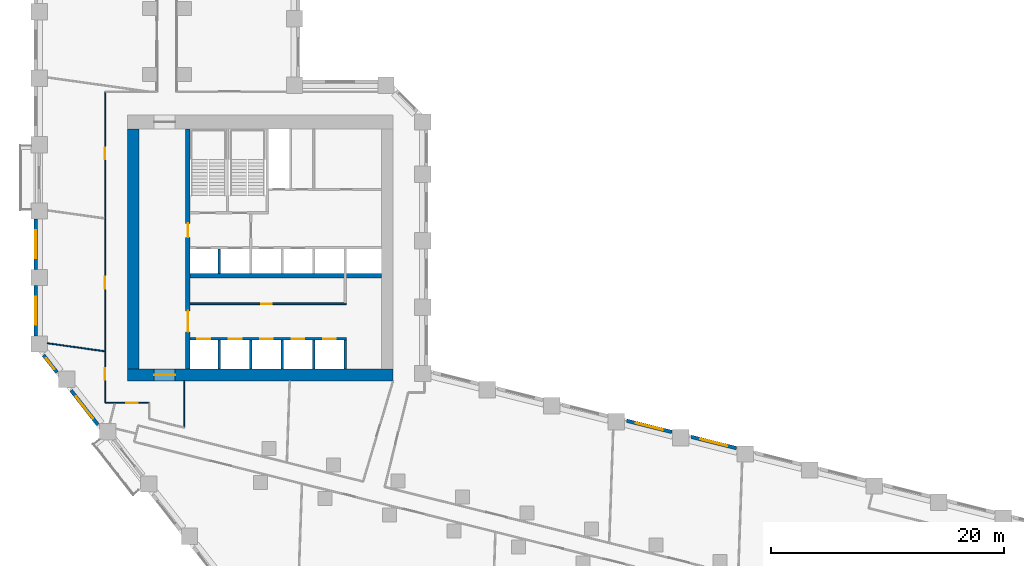
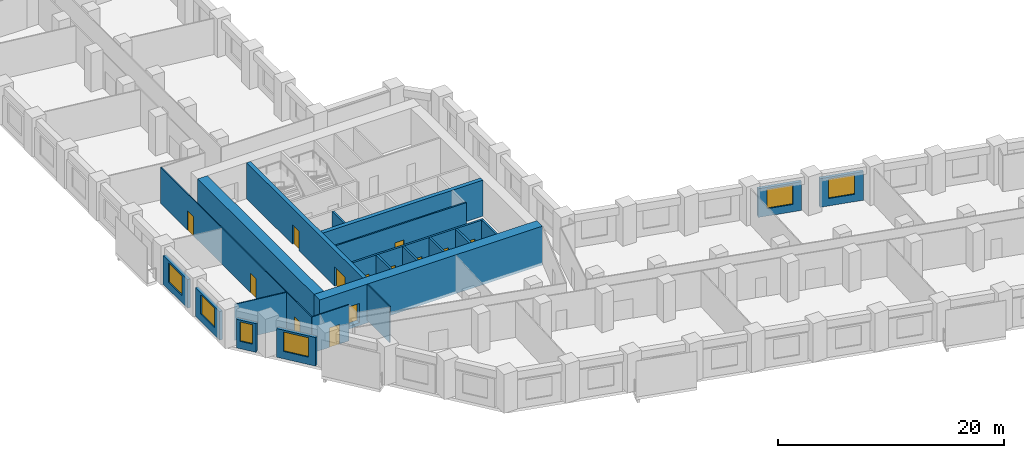
# One storey, part 4 of 11: 22 walls, 13 doors, 6 windows, 19 openings.
"""IFC4 building model written with IfcOpenShell, lengths in metres."""

from ifc_helpers import new_model, si_unit, direction, frame, frame_2d, origin, place, context, subcontext, project, spatial, rectangle, extrude, material, layer, layer_set, type_object, element, fill, save


model = new_model("IFC4")

# Units and contexts
model_context = context("Model", 3, precision=1e-05, world=origin(), true_north=direction((0.0, 1.0)))
body_context = subcontext(model_context, "Body", "Model", "MODEL_VIEW")
ifc_project = project(units=[si_unit("LENGTHUNIT", "METRE"), si_unit("AREAUNIT", "SQUARE_METRE"), si_unit("VOLUMEUNIT", "CUBIC_METRE"), si_unit("PLANEANGLEUNIT", "RADIAN"), si_unit("MASSUNIT", "GRAM", prefix="KILO")], contexts=[model_context])

# Site, building, storey
site_placement = place(None, origin())
site = spatial("IfcSite", under=ifc_project, at=site_placement, CompositionType="ELEMENT")
building_placement = place(site_placement, origin())
building = spatial("IfcBuilding", under=site, at=building_placement, Name="Meshkara Civic Tower", CompositionType="ELEMENT")
storey_placement = place(building_placement, frame((0.0, 0.0, 70.800048828125)))
storey = spatial("IfcBuildingStorey", under=building, at=storey_placement, Name="L15", CompositionType="ELEMENT", Elevation=70.800048828125)

# Wall, opening, door
ifc_material_1 = material(Name="Blockwork", Category="masonry")
ifc_layer_1 = layer(ifc_material_1, 0.14990234375)
ifc_layer_set_1 = layer_set([ifc_layer_1], Name="Core partition 150")
wall_type_1 = type_object("IfcWallType", Name="Core partition 150", PredefinedType="PARTITIONING", material=ifc_layer_set_1)
wall_1_placement = place(storey_placement, frame((13.39990234375, 20.699951171875, 0.0), z_axis=(0.0, 0.0, 1.0), x_axis=(1.0, 0.0, 0.0)))
wall_1 = element("IfcWall", 1, at=wall_1_placement, inside=storey, type_object=wall_type_1, Name="L15-C006", PredefinedType="PARTITIONING", context=body_context, shape_type="SweptSolid", body=[
    extrude(rectangle(XDim=13.400146484375, YDim=0.14990234375, at=frame_2d((6.7001953125, 0.0))), origin(), (0.0, 0.0, 1.0), 3.89990234375),
])
opening_1_placement = place(wall_1_placement, frame((6.10009765625, 0.0, 0.0)))
opening_1 = element("IfcOpeningElement", 2, at=opening_1_placement, cuts=wall_1, Name="Opening L15-K010", PredefinedType="OPENING", context=body_context, shape_type="SweptSolid", body=[
    extrude(rectangle(XDim=0.89990234375, YDim=2.10009765625, at=frame_2d((0.449951171875, 1.050048828125))), frame((0.0, 0.0849609375, 0.0), z_axis=(0.0, -1.0, 0.0), x_axis=(1.0, 0.0, 0.0)), (0.0, 0.0, 1.0), 0.169921875),
])
ifc_material_2 = material(Name="Timber door leaf in steel frame", Category="steel")
door_type_1 = type_object("IfcDoorType", Name="Core room door 900", OperationType="SINGLE_SWING_LEFT", PredefinedType="DOOR", material=ifc_material_2)
door_1_placement = place(opening_1_placement, origin())
door_1 = element("IfcDoor", 3, at=door_1_placement, inside=storey, type_object=door_type_1, Name="L15-K010", OperationType="SINGLE_SWING_RIGHT", OverallHeight=2.10009765625, OverallWidth=0.89990234375, PredefinedType="DOOR", context=body_context, shape_type="SweptSolid", body=[
    extrude(rectangle(XDim=0.89990234375, YDim=2.10009765625, at=frame_2d((0.449951171875, 1.050048828125))), frame((0.0, 0.02490234375, 0.0), z_axis=(0.0, -1.0, 0.0), x_axis=(1.0, 0.0, 0.0)), (0.0, 0.0, 1.0), 0.050048828125),
])
fill(opening_1, door_1)

ifc_material_3 = material(Name="Concrete C80", Category="concrete")
ifc_layer_2 = layer(ifc_material_3, 1.0)
ifc_layer_set_2 = layer_set([ifc_layer_2], Name="Core ring wall 1000 C80")
wall_type_2 = type_object("IfcWallType", Name="Core ring wall 1000 C80", PredefinedType="SHEAR", material=ifc_layer_set_2)
wall_2_placement = place(storey_placement, frame((8.0, 14.60009765625, -0.300048828125), z_axis=(0.0, 0.0, 1.0), x_axis=(1.0, 0.0, 0.0)))
wall_2 = element("IfcWall", 4, at=wall_2_placement, inside=storey, type_object=wall_type_2, Name="L15-C001", PredefinedType="SHEAR", context=body_context, shape_type="SweptSolid", body=[
    extrude(rectangle(XDim=22.800048828125, YDim=1.0, at=frame_2d((11.39990234375, 0.0))), origin(), (0.0, 0.0, 1.0), 4.199951171875),
])
opening_2_placement = place(wall_2_placement, frame((2.300048828125, 0.0, 0.300048828125)))
opening_2 = element("IfcOpeningElement", 5, at=opening_2_placement, cuts=wall_2, Name="Opening L15-K020", PredefinedType="OPENING", context=body_context, shape_type="SweptSolid", body=[
    extrude(rectangle(XDim=1.800048828125, YDim=2.10009765625, at=frame_2d((0.89990234375, 1.050048828125))), frame((0.0, 0.510009765625, 0.0), z_axis=(0.0, -1.0, 0.0), x_axis=(1.0, 0.0, 0.0)), (0.0, 0.0, 1.0), 1.02001953125),
])
ifc_material_4 = material(Name="Fire-rated door leaf in steel frame", Category="steel")
door_type_2 = type_object("IfcDoorType", Name="Core double door 1800 EI 60", OperationType="DOUBLE_DOOR_SINGLE_SWING", PredefinedType="DOOR", material=ifc_material_4)
door_2_placement = place(opening_2_placement, origin())
door_2 = element("IfcDoor", 6, at=door_2_placement, inside=storey, type_object=door_type_2, Name="L15-K020", OperationType="DOUBLE_DOOR_SINGLE_SWING", OverallHeight=2.10009765625, OverallWidth=1.800048828125, PredefinedType="DOOR", context=body_context, shape_type="SweptSolid", body=[
    extrude(rectangle(XDim=1.800048828125, YDim=2.10009765625, at=frame_2d((0.89990234375, 1.050048828125))), frame((0.0, 0.02490234375, 0.0), z_axis=(0.0, -1.0, 0.0), x_axis=(1.0, 0.0, 0.0)), (0.0, 0.0, 1.0), 0.050048828125),
])
fill(opening_2, door_2)

# Walls
wall_3_placement = place(storey_placement, frame((8.5, 15.10009765625, -0.300048828125), z_axis=(0.0, 0.0, 1.0), x_axis=(0.0, 1.0, 0.0)))
element("IfcWall", 7, at=wall_3_placement, inside=storey, type_object=wall_type_2, Name="L15-C003", PredefinedType="SHEAR", context=body_context, shape_type="SweptSolid", body=[
    extrude(rectangle(XDim=20.599853515625, YDim=1.0, at=frame_2d((10.2998046875, 0.0))), origin(), (0.0, 0.0, 1.0), 4.199951171875),
])
ifc_material_5 = material(Name="Concrete C80", Category="concrete")
ifc_layer_3 = layer(ifc_material_5, 0.39990234375)
ifc_layer_set_3 = layer_set([ifc_layer_3], Name="Core shear wall 400 C80")
wall_type_3 = type_object("IfcWallType", Name="Core shear wall 400 C80", PredefinedType="SHEAR", material=ifc_layer_set_3)
wall_4_placement = place(storey_placement, frame((13.39990234375, 23.10009765625, 0.0), z_axis=(0.0, 0.0, 1.0), x_axis=(1.0, 0.0, 0.0)))
element("IfcWall", 8, at=wall_4_placement, inside=storey, type_object=wall_type_3, Name="L15-C007", PredefinedType="SHEAR", context=body_context, shape_type="SweptSolid", body=[
    extrude(rectangle(XDim=16.400146484375, YDim=0.39990234375, at=frame_2d((8.2001953125, 0.0))), origin(), (0.0, 0.0, 1.0), 3.89990234375),
])

# Wall, openings, doors
wall_5_placement = place(storey_placement, frame((13.199951171875, 15.10009765625, 0.0), z_axis=(0.0, 0.0, 1.0), x_axis=(0.0, 1.0, 0.0)))
wall_5 = element("IfcWall", 9, at=wall_5_placement, inside=storey, type_object=wall_type_3, Name="L15-C011", PredefinedType="SHEAR", context=body_context, shape_type="SweptSolid", body=[
    extrude(rectangle(XDim=20.599853515625, YDim=0.39990234375, at=frame_2d((10.2998046875, 0.0))), origin(), (0.0, 0.0, 1.0), 3.89990234375),
])
opening_3_placement = place(wall_5_placement, frame((3.199951171875, 0.0, 0.0)))
opening_3 = element("IfcOpeningElement", 10, at=opening_3_placement, cuts=wall_5, Name="Opening L15-K016", PredefinedType="OPENING", context=body_context, shape_type="SweptSolid", body=[
    extrude(rectangle(XDim=1.800048828125, YDim=2.10009765625, at=frame_2d((0.89990234375, 1.050048828125))), frame((0.0, 0.2099609375, 0.0), z_axis=(0.0, -1.0, 0.0), x_axis=(1.0, 0.0, 0.0)), (0.0, 0.0, 1.0), 0.419921875),
])
opening_4_placement = place(wall_5_placement, frame((11.300048828125, 0.0, 0.0)))
opening_4 = element("IfcOpeningElement", 11, at=opening_4_placement, cuts=wall_5, Name="Opening L15-K017", PredefinedType="OPENING", context=body_context, shape_type="SweptSolid", body=[
    extrude(rectangle(XDim=1.199951171875, YDim=2.10009765625, at=frame_2d((0.60009765625, 1.050048828125))), frame((0.0, 0.2099609375, 0.0), z_axis=(0.0, -1.0, 0.0), x_axis=(1.0, 0.0, 0.0)), (0.0, 0.0, 1.0), 0.419921875),
])
door_3_placement = place(opening_3_placement, origin())
door_3 = element("IfcDoor", 12, at=door_3_placement, inside=storey, type_object=door_type_2, Name="L15-K016", OperationType="DOUBLE_DOOR_SINGLE_SWING", OverallHeight=2.10009765625, OverallWidth=1.800048828125, PredefinedType="DOOR", context=body_context, shape_type="SweptSolid", body=[
    extrude(rectangle(XDim=1.800048828125, YDim=2.10009765625, at=frame_2d((0.89990234375, 1.050048828125))), frame((0.0, 0.02490234375, 0.0), z_axis=(0.0, -1.0, 0.0), x_axis=(1.0, 0.0, 0.0)), (0.0, 0.0, 1.0), 0.050048828125),
])
fill(opening_3, door_3)
ifc_material_6 = material(Name="Fire-rated door leaf in steel frame", Category="steel")
door_type_3 = type_object("IfcDoorType", Name="Fire-fighting lobby door 1200 EI 120", OperationType="SINGLE_SWING_LEFT", PredefinedType="DOOR", material=ifc_material_6)
door_4_placement = place(opening_4_placement, origin())
door_4 = element("IfcDoor", 13, at=door_4_placement, inside=storey, type_object=door_type_3, Name="L15-K017", OperationType="SINGLE_SWING_LEFT", OverallHeight=2.10009765625, OverallWidth=1.199951171875, PredefinedType="DOOR", context=body_context, shape_type="SweptSolid", body=[
    extrude(rectangle(XDim=1.199951171875, YDim=2.10009765625, at=frame_2d((0.60009765625, 1.050048828125))), frame((0.0, 0.02490234375, 0.0), z_axis=(0.0, -1.0, 0.0), x_axis=(1.0, 0.0, 0.0)), (0.0, 0.0, 1.0), 0.050048828125),
])
fill(opening_4, door_4)

ifc_material_7 = material(Name="Corridor wall 100")
ifc_layer_4 = layer(ifc_material_7, 0.10009765625)
ifc_layer_set_4 = layer_set([ifc_layer_4], Name="Corridor wall 100")
wall_type_4 = type_object("IfcWallType", Name="Corridor wall 100", PredefinedType="PARTITIONING", material=ifc_layer_set_4)
wall_6_placement = place(storey_placement, frame((6.10009765625, 12.199951171875, 0.0), z_axis=(0.0, 0.0, 1.0), x_axis=(0.0, 1.0, 0.0)))
wall_6 = element("IfcWall", 14, at=wall_6_placement, inside=storey, type_object=wall_type_4, Name="L15-W004", PredefinedType="PARTITIONING", context=body_context, shape_type="SweptSolid", body=[
    extrude(rectangle(XDim=26.699951171875, YDim=0.10009765625, at=frame_2d((13.35009765625, 0.0))), origin(), (0.0, 0.0, 1.0), 3.89990234375),
])
opening_5_placement = place(wall_6_placement, frame((1.97998046875, 0.0, 0.0)))
opening_5 = element("IfcOpeningElement", 15, at=opening_5_placement, cuts=wall_6, Name="Opening L15-D016", PredefinedType="OPENING", context=body_context, shape_type="SweptSolid", body=[
    extrude(rectangle(XDim=1.0, YDim=2.10009765625, at=frame_2d((0.5, 1.050048828125))), frame((0.0, 0.06005859375, 0.0), z_axis=(0.0, -1.0, 0.0), x_axis=(1.0, 0.0, 0.0)), (0.0, 0.0, 1.0), 0.1201171875),
])
opening_6_placement = place(wall_6_placement, frame((9.802978515625, 0.0, 0.0)))
opening_6 = element("IfcOpeningElement", 16, at=opening_6_placement, cuts=wall_6, Name="Opening L15-D018", PredefinedType="OPENING", context=body_context, shape_type="SweptSolid", body=[
    extrude(rectangle(XDim=1.0, YDim=2.10009765625, at=frame_2d((0.5, 1.050048828125))), frame((0.0, 0.06005859375, 0.0), z_axis=(0.0, -1.0, 0.0), x_axis=(1.0, 0.0, 0.0)), (0.0, 0.0, 1.0), 0.1201171875),
])
opening_7_placement = place(wall_6_placement, frame((20.903076171875, 0.0, 0.0)))
opening_7 = element("IfcOpeningElement", 17, at=opening_7_placement, cuts=wall_6, Name="Opening L15-D019", PredefinedType="OPENING", context=body_context, shape_type="SweptSolid", body=[
    extrude(rectangle(XDim=1.0, YDim=2.10009765625, at=frame_2d((0.5, 1.050048828125))), frame((0.0, 0.06005859375, 0.0), z_axis=(0.0, -1.0, 0.0), x_axis=(1.0, 0.0, 0.0)), (0.0, 0.0, 1.0), 0.1201171875),
])
ifc_material_8 = material(Name="Door 1000 x 2100")
door_type_4 = type_object("IfcDoorType", Name="Door 1000 x 2100", OperationType="SINGLE_SWING_LEFT", PredefinedType="DOOR", material=ifc_material_8)
door_5_placement = place(opening_5_placement, origin())
door_5 = element("IfcDoor", 18, at=door_5_placement, inside=storey, type_object=door_type_4, Name="L15-D016", OperationType="SINGLE_SWING_RIGHT", OverallHeight=2.10009765625, OverallWidth=1.0, PredefinedType="DOOR", context=body_context, shape_type="SweptSolid", body=[
    extrude(rectangle(XDim=1.0, YDim=2.10009765625, at=frame_2d((0.5, 1.050048828125))), frame((0.0, 0.02490234375, 0.0), z_axis=(0.0, -1.0, 0.0), x_axis=(1.0, 0.0, 0.0)), (0.0, 0.0, 1.0), 0.050048828125),
])
fill(opening_5, door_5)
door_6_placement = place(opening_6_placement, origin())
door_6 = element("IfcDoor", 19, at=door_6_placement, inside=storey, type_object=door_type_4, Name="L15-D018", OperationType="SINGLE_SWING_RIGHT", OverallHeight=2.10009765625, OverallWidth=1.0, PredefinedType="DOOR", context=body_context, shape_type="SweptSolid", body=[
    extrude(rectangle(XDim=1.0, YDim=2.10009765625, at=frame_2d((0.5, 1.050048828125))), frame((0.0, 0.02490234375, 0.0), z_axis=(0.0, -1.0, 0.0), x_axis=(1.0, 0.0, 0.0)), (0.0, 0.0, 1.0), 0.050048828125),
])
fill(opening_6, door_6)
door_7_placement = place(opening_7_placement, origin())
door_7 = element("IfcDoor", 20, at=door_7_placement, inside=storey, type_object=door_type_4, Name="L15-D019", OperationType="SINGLE_SWING_RIGHT", OverallHeight=2.10009765625, OverallWidth=1.0, PredefinedType="DOOR", context=body_context, shape_type="SweptSolid", body=[
    extrude(rectangle(XDim=1.0, YDim=2.10009765625, at=frame_2d((0.5, 1.050048828125))), frame((0.0, 0.02490234375, 0.0), z_axis=(0.0, -1.0, 0.0), x_axis=(1.0, 0.0, 0.0)), (0.0, 0.0, 1.0), 0.050048828125),
])
fill(opening_7, door_7)

# Wall, opening, door
wall_7_placement = place(storey_placement, frame((6.10009765625, 12.199951171875, 0.0), z_axis=(0.0, 0.0, 1.0), x_axis=(1.0, 0.0, 0.0)))
wall_7 = element("IfcWall", 21, at=wall_7_placement, inside=storey, type_object=wall_type_4, Name="L15-W005", PredefinedType="PARTITIONING", context=body_context, shape_type="SweptSolid", body=[
    extrude(rectangle(XDim=3.7998046875, YDim=0.10009765625, at=frame_2d((1.89990234375, 0.0))), origin(), (0.0, 0.0, 1.0), 3.89990234375),
])
opening_8_placement = place(wall_7_placement, frame((1.802001953125, 0.0, 0.0)))
opening_8 = element("IfcOpeningElement", 22, at=opening_8_placement, cuts=wall_7, Name="Opening L15-D017", PredefinedType="OPENING", context=body_context, shape_type="SweptSolid", body=[
    extrude(rectangle(XDim=1.0, YDim=2.10009765625, at=frame_2d((0.5, 1.050048828125))), frame((0.0, 0.06005859375, 0.0), z_axis=(0.0, -1.0, 0.0), x_axis=(1.0, 0.0, 0.0)), (0.0, 0.0, 1.0), 0.1201171875),
])
door_8_placement = place(opening_8_placement, origin())
door_8 = element("IfcDoor", 23, at=door_8_placement, inside=storey, type_object=door_type_4, Name="L15-D017", OperationType="SINGLE_SWING_RIGHT", OverallHeight=2.10009765625, OverallWidth=1.0, PredefinedType="DOOR", context=body_context, shape_type="SweptSolid", body=[
    extrude(rectangle(XDim=1.0, YDim=2.10009765625, at=frame_2d((0.5, 1.050048828125))), frame((0.0, 0.02490234375, 0.0), z_axis=(0.0, -1.0, 0.0), x_axis=(1.0, 0.0, 0.0)), (0.0, 0.0, 1.0), 0.050048828125),
])
fill(opening_8, door_8)

# Wall
wall_8_placement = place(storey_placement, frame((12.89990234375, 10.077880859375, 0.0), z_axis=(0.0, 0.0, 1.0), x_axis=(0.0, 1.0, 0.0)))
element("IfcWall", 24, at=wall_8_placement, inside=storey, type_object=wall_type_4, Name="L15-W014", PredefinedType="PARTITIONING", context=body_context, shape_type="SweptSolid", body=[
    extrude(rectangle(XDim=4.022216796875, YDim=0.10009765625, at=frame_2d((2.01123046875, 0.0))), origin(), (0.0, 0.0, 1.0), 3.89990234375),
])

# Wall, opening, window
ifc_material_9 = material(Name="Insulated infill panel with bronze anodised aluminium cladding", Category="aluminium")
ifc_layer_5 = layer(ifc_material_9, 0.300048828125)
ifc_layer_set_5 = layer_set([ifc_layer_5], Name="EXTERNAL INFILL WALL 300")
wall_type_5 = type_object("IfcWallType", Name="EXTERNAL INFILL WALL 300", PredefinedType="SOLIDWALL", material=ifc_layer_set_5)
wall_9_placement = place(storey_placement, frame((60.251953125, 8.321044921875, 0.0), z_axis=(0.0, 0.0, 1.0), x_axis=(-0.970303772127, 0.241889623168, 0.0)))
wall_9 = element("IfcWall", 25, at=wall_9_placement, inside=storey, type_object=wall_type_5, Name="External wall", PredefinedType="SOLIDWALL", context=body_context, shape_type="SweptSolid", body=[
    extrude(rectangle(XDim=4.001953125, YDim=0.300048828125, at=frame_2d((2.0009765625, 0.0))), origin(), (0.0, 0.0, 1.0), 3.099853515625),
])
opening_9_placement = place(wall_9_placement, frame((0.801025390625, 0.0, 0.800048828125)))
opening_9 = element("IfcOpeningElement", 26, at=opening_9_placement, cuts=wall_9, Name="Opening W7", PredefinedType="OPENING", context=body_context, shape_type="SweptSolid", body=[
    extrude(rectangle(XDim=2.39990234375, YDim=2.10009765625, at=frame_2d((1.199951171875, 1.050048828125))), frame((0.0, 0.159912109375, 0.0), z_axis=(0.0, -1.0, 0.0), x_axis=(1.0, 0.0, 0.0)), (0.0, 0.0, 1.0), 0.320068359375),
])
ifc_material_10 = material(Name="Tinted double glazing", Category="glass")
window_type_1 = type_object("IfcWindowType", Name="WINDOW 2400x2100", PartitioningType="DOUBLE_PANEL_VERTICAL", PredefinedType="WINDOW", material=ifc_material_10)
window_1_placement = place(opening_9_placement, origin())
window_1 = element("IfcWindow", 27, at=window_1_placement, inside=storey, type_object=window_type_1, Name="Window", OverallHeight=2.10009765625, OverallWidth=2.39990234375, PartitioningType="DOUBLE_PANEL_VERTICAL", PredefinedType="WINDOW", context=body_context, shape_type="SweptSolid", body=[
    extrude(rectangle(XDim=2.39990234375, YDim=2.10009765625, at=frame_2d((1.199951171875, 1.050048828125))), frame((0.0, 0.030029296875, 0.0), z_axis=(0.0, -1.0, 0.0), x_axis=(1.0, 0.0, 0.0)), (0.0, 0.0, 1.0), 0.06005859375),
])
fill(opening_9, window_1)

wall_10_placement = place(storey_placement, frame((54.721923828125, 9.699951171875, 0.0), z_axis=(0.0, 0.0, 1.0), x_axis=(-0.970318045095, 0.24183236211, 0.0)))
wall_10 = element("IfcWall", 28, at=wall_10_placement, inside=storey, type_object=wall_type_5, Name="External wall", PredefinedType="SOLIDWALL", context=body_context, shape_type="SweptSolid", body=[
    extrude(rectangle(XDim=4.0029296875, YDim=0.300048828125, at=frame_2d((2.00146484375, 0.0))), origin(), (0.0, 0.0, 1.0), 3.099853515625),
])
opening_10_placement = place(wall_10_placement, frame((0.802001953125, 0.0, 0.800048828125)))
opening_10 = element("IfcOpeningElement", 29, at=opening_10_placement, cuts=wall_10, Name="Opening W7", PredefinedType="OPENING", context=body_context, shape_type="SweptSolid", body=[
    extrude(rectangle(XDim=2.39990234375, YDim=2.10009765625, at=frame_2d((1.199951171875, 1.050048828125))), frame((0.0, 0.159912109375, 0.0), z_axis=(0.0, -1.0, 0.0), x_axis=(1.0, 0.0, 0.0)), (0.0, 0.0, 1.0), 0.320068359375),
])
window_2_placement = place(opening_10_placement, origin())
window_2 = element("IfcWindow", 30, at=window_2_placement, inside=storey, type_object=window_type_1, Name="Window", OverallHeight=2.10009765625, OverallWidth=2.39990234375, PartitioningType="DOUBLE_PANEL_VERTICAL", PredefinedType="WINDOW", context=body_context, shape_type="SweptSolid", body=[
    extrude(rectangle(XDim=2.39990234375, YDim=2.10009765625, at=frame_2d((1.199951171875, 1.050048828125))), frame((0.0, 0.030029296875, 0.0), z_axis=(0.0, -1.0, 0.0), x_axis=(1.0, 0.0, 0.0)), (0.0, 0.0, 1.0), 0.06005859375),
])
fill(opening_10, window_2)

wall_11_placement = place(storey_placement, frame((0.14990234375, 27.955078125, 0.0), z_axis=(0.0, 0.0, 1.0), x_axis=(0.0, -1.0, 0.0)))
wall_11 = element("IfcWall", 31, at=wall_11_placement, inside=storey, type_object=wall_type_5, Name="External wall", PredefinedType="SOLIDWALL", context=body_context, shape_type="SweptSolid", body=[
    extrude(rectangle(XDim=4.300048828125, YDim=0.300048828125, at=frame_2d((2.14990234375, 0.0))), origin(), (0.0, 0.0, 1.0), 3.099853515625),
])
opening_11_placement = place(wall_11_placement, frame((0.949951171875, 0.0, 0.800048828125)))
opening_11 = element("IfcOpeningElement", 32, at=opening_11_placement, cuts=wall_11, Name="Opening W7", PredefinedType="OPENING", context=body_context, shape_type="SweptSolid", body=[
    extrude(rectangle(XDim=2.39990234375, YDim=2.10009765625, at=frame_2d((1.199951171875, 1.050048828125))), frame((0.0, 0.159912109375, 0.0), z_axis=(0.0, -1.0, 0.0), x_axis=(1.0, 0.0, 0.0)), (0.0, 0.0, 1.0), 0.320068359375),
])
window_3_placement = place(opening_11_placement, origin())
window_3 = element("IfcWindow", 33, at=window_3_placement, inside=storey, type_object=window_type_1, Name="Window", OverallHeight=2.10009765625, OverallWidth=2.39990234375, PartitioningType="DOUBLE_PANEL_VERTICAL", PredefinedType="WINDOW", context=body_context, shape_type="SweptSolid", body=[
    extrude(rectangle(XDim=2.39990234375, YDim=2.10009765625, at=frame_2d((1.199951171875, 1.050048828125))), frame((0.0, 0.030029296875, 0.0), z_axis=(0.0, -1.0, 0.0), x_axis=(1.0, 0.0, 0.0)), (0.0, 0.0, 1.0), 0.06005859375),
])
fill(opening_11, window_3)

wall_12_placement = place(storey_placement, frame((0.14990234375, 22.2548828125, 0.0), z_axis=(0.0, 0.0, 1.0), x_axis=(0.0, -1.0, 0.0)))
wall_12 = element("IfcWall", 34, at=wall_12_placement, inside=storey, type_object=wall_type_5, Name="External wall", PredefinedType="SOLIDWALL", context=body_context, shape_type="SweptSolid", body=[
    extrude(rectangle(XDim=4.2998046875, YDim=0.300048828125, at=frame_2d((2.14990234375, 0.0))), origin(), (0.0, 0.0, 1.0), 3.099853515625),
])
opening_12_placement = place(wall_12_placement, frame((0.949951171875, 0.0, 0.800048828125)))
opening_12 = element("IfcOpeningElement", 35, at=opening_12_placement, cuts=wall_12, Name="Opening W7", PredefinedType="OPENING", context=body_context, shape_type="SweptSolid", body=[
    extrude(rectangle(XDim=2.39990234375, YDim=2.10009765625, at=frame_2d((1.199951171875, 1.050048828125))), frame((0.0, 0.159912109375, 0.0), z_axis=(0.0, -1.0, 0.0), x_axis=(1.0, 0.0, 0.0)), (0.0, 0.0, 1.0), 0.320068359375),
])
window_4_placement = place(opening_12_placement, origin())
window_4 = element("IfcWindow", 36, at=window_4_placement, inside=storey, type_object=window_type_1, Name="Window", OverallHeight=2.10009765625, OverallWidth=2.39990234375, PartitioningType="DOUBLE_PANEL_VERTICAL", PredefinedType="WINDOW", context=body_context, shape_type="SweptSolid", body=[
    extrude(rectangle(XDim=2.39990234375, YDim=2.10009765625, at=frame_2d((1.199951171875, 1.050048828125))), frame((0.0, 0.030029296875, 0.0), z_axis=(0.0, -1.0, 0.0), x_axis=(1.0, 0.0, 0.0)), (0.0, 0.0, 1.0), 0.06005859375),
])
fill(opening_12, window_4)

wall_13_placement = place(storey_placement, frame((0.818115234375, 16.2958984375, 0.0), z_axis=(0.0, 0.0, 1.0), x_axis=(0.615985155343, -0.787757759973, 0.0)))
wall_13 = element("IfcWall", 37, at=wall_13_placement, inside=storey, type_object=wall_type_5, Name="External wall", PredefinedType="SOLIDWALL", context=body_context, shape_type="SweptSolid", body=[
    extrude(rectangle(XDim=1.874755859375, YDim=0.300048828125, at=frame_2d((0.9375, 0.0))), origin(), (0.0, 0.0, 1.0), 3.099853515625),
])
opening_13_placement = place(wall_13_placement, frame((0.3369140625, 0.0, 0.800048828125)))
opening_13 = element("IfcOpeningElement", 38, at=opening_13_placement, cuts=wall_13, Name="Opening W3", PredefinedType="OPENING", context=body_context, shape_type="SweptSolid", body=[
    extrude(rectangle(XDim=1.199951171875, YDim=2.10009765625, at=frame_2d((0.60009765625, 1.050048828125))), frame((0.0, 0.159912109375, 0.0), z_axis=(0.0, -1.0, 0.0), x_axis=(1.0, 0.0, 0.0)), (0.0, 0.0, 1.0), 0.320068359375),
])
ifc_material_11 = material(Name="Tinted double glazing", Category="glass")
window_type_2 = type_object("IfcWindowType", Name="WINDOW 1200x2100", PartitioningType="SINGLE_PANEL", PredefinedType="WINDOW", material=ifc_material_11)
window_5_placement = place(opening_13_placement, origin())
window_5 = element("IfcWindow", 39, at=window_5_placement, inside=storey, type_object=window_type_2, Name="Window", OverallHeight=2.10009765625, OverallWidth=1.199951171875, PartitioningType="SINGLE_PANEL", PredefinedType="WINDOW", context=body_context, shape_type="SweptSolid", body=[
    extrude(rectangle(XDim=1.199951171875, YDim=2.10009765625, at=frame_2d((0.60009765625, 1.050048828125))), frame((0.0, 0.030029296875, 0.0), z_axis=(0.0, -1.0, 0.0), x_axis=(1.0, 0.0, 0.0)), (0.0, 0.0, 1.0), 0.06005859375),
])
fill(opening_13, window_5)

wall_14_placement = place(storey_placement, frame((3.18310546875, 13.27001953125, 0.0), z_axis=(0.0, 0.0, 1.0), x_axis=(0.615564114897, -0.788086810225, 0.0)))
wall_14 = element("IfcWall", 40, at=wall_14_placement, inside=storey, type_object=wall_type_5, Name="External wall", PredefinedType="SOLIDWALL", context=body_context, shape_type="SweptSolid", body=[
    extrude(rectangle(XDim=3.734619140625, YDim=0.300048828125, at=frame_2d((1.8671875, 0.0))), origin(), (0.0, 0.0, 1.0), 3.099853515625),
])
opening_14_placement = place(wall_14_placement, frame((0.6669921875, 0.0, 0.800048828125)))
opening_14 = element("IfcOpeningElement", 41, at=opening_14_placement, cuts=wall_14, Name="Opening W7", PredefinedType="OPENING", context=body_context, shape_type="SweptSolid", body=[
    extrude(rectangle(XDim=2.39990234375, YDim=2.10009765625, at=frame_2d((1.199951171875, 1.050048828125))), frame((0.0, 0.159912109375, 0.0), z_axis=(0.0, -1.0, 0.0), x_axis=(1.0, 0.0, 0.0)), (0.0, 0.0, 1.0), 0.320068359375),
])
window_6_placement = place(opening_14_placement, origin())
window_6 = element("IfcWindow", 42, at=window_6_placement, inside=storey, type_object=window_type_1, Name="Window", OverallHeight=2.10009765625, OverallWidth=2.39990234375, PartitioningType="DOUBLE_PANEL_VERTICAL", PredefinedType="WINDOW", context=body_context, shape_type="SweptSolid", body=[
    extrude(rectangle(XDim=2.39990234375, YDim=2.10009765625, at=frame_2d((1.199951171875, 1.050048828125))), frame((0.0, 0.030029296875, 0.0), z_axis=(0.0, -1.0, 0.0), x_axis=(1.0, 0.0, 0.0)), (0.0, 0.0, 1.0), 0.06005859375),
])
fill(opening_14, window_6)

# Wall
ifc_material_12 = material(Name="Partition 100")
ifc_layer_6 = layer(ifc_material_12, 0.10009765625)
ifc_layer_set_6 = layer_set([ifc_layer_6], Name="Partition 100")
wall_type_6 = type_object("IfcWallType", Name="Partition 100", PredefinedType="PARTITIONING", material=ifc_layer_set_6)
wall_15_placement = place(storey_placement, frame((6.04296875, 16.631103515625, 0.0), z_axis=(0.0, 0.0, 1.0), x_axis=(-0.990259346599, 0.139235148125, 0.0)))
element("IfcWall", 43, at=wall_15_placement, inside=storey, type_object=wall_type_6, Name="L15-W035", PredefinedType="PARTITIONING", context=body_context, shape_type="SweptSolid", body=[
    extrude(rectangle(XDim=4.941162109375, YDim=0.10009765625, at=frame_2d((2.470703125, 0.0))), origin(), (0.0, 0.0, 1.0), 3.89990234375),
])

# Wall, openings, doors
ifc_material_13 = material(Name="Concrete C40/50", Category="concrete")
ifc_layer_7 = layer(ifc_material_13, 0.199951171875)
ifc_layer_set_7 = layer_set([ifc_layer_7], Name="Shaft wall 200 C40/50")
wall_type_7 = type_object("IfcWallType", Name="Shaft wall 200 C40/50", PredefinedType="SOLIDWALL", material=ifc_layer_set_7)
wall_16_placement = place(storey_placement, frame((13.39990234375, 17.699951171875, 0.0), z_axis=(0.0, 0.0, 1.0), x_axis=(1.0, 0.0, 0.0)))
wall_16 = element("IfcWall", 44, at=wall_16_placement, inside=storey, type_object=wall_type_7, Name="L15-C005", PredefinedType="SOLIDWALL", context=body_context, shape_type="SweptSolid", body=[
    extrude(rectangle(XDim=13.400146484375, YDim=0.199951171875, at=frame_2d((6.7001953125, 0.0))), origin(), (0.0, 0.0, 1.0), 3.89990234375),
])
opening_15_placement = place(wall_16_placement, frame((0.60009765625, 0.0, 0.0)))
opening_15 = element("IfcOpeningElement", 45, at=opening_15_placement, cuts=wall_16, Name="Opening L15-K001", PredefinedType="OPENING", context=body_context, shape_type="SweptSolid", body=[
    extrude(rectangle(XDim=1.10009765625, YDim=2.10009765625, at=frame_2d((0.550048828125, 1.050048828125))), frame((0.0, 0.10986328125, 0.0), z_axis=(0.0, -1.0, 0.0), x_axis=(1.0, 0.0, 0.0)), (0.0, 0.0, 1.0), 0.219970703125),
])
opening_16_placement = place(wall_16_placement, frame((3.300048828125, 0.0, 0.0)))
opening_16 = element("IfcOpeningElement", 46, at=opening_16_placement, cuts=wall_16, Name="Opening L15-K002", PredefinedType="OPENING", context=body_context, shape_type="SweptSolid", body=[
    extrude(rectangle(XDim=1.10009765625, YDim=2.10009765625, at=frame_2d((0.550048828125, 1.050048828125))), frame((0.0, 0.10986328125, 0.0), z_axis=(0.0, -1.0, 0.0), x_axis=(1.0, 0.0, 0.0)), (0.0, 0.0, 1.0), 0.219970703125),
])
opening_17_placement = place(wall_16_placement, frame((6.0, 0.0, 0.0)))
opening_17 = element("IfcOpeningElement", 47, at=opening_17_placement, cuts=wall_16, Name="Opening L15-K003", PredefinedType="OPENING", context=body_context, shape_type="SweptSolid", body=[
    extrude(rectangle(XDim=1.10009765625, YDim=2.10009765625, at=frame_2d((0.550048828125, 1.050048828125))), frame((0.0, 0.10986328125, 0.0), z_axis=(0.0, -1.0, 0.0), x_axis=(1.0, 0.0, 0.0)), (0.0, 0.0, 1.0), 0.219970703125),
])
opening_18_placement = place(wall_16_placement, frame((8.699951171875, 0.0, 0.0)))
opening_18 = element("IfcOpeningElement", 48, at=opening_18_placement, cuts=wall_16, Name="Opening L15-K004", PredefinedType="OPENING", context=body_context, shape_type="SweptSolid", body=[
    extrude(rectangle(XDim=1.10009765625, YDim=2.10009765625, at=frame_2d((0.550048828125, 1.050048828125))), frame((0.0, 0.10986328125, 0.0), z_axis=(0.0, -1.0, 0.0), x_axis=(1.0, 0.0, 0.0)), (0.0, 0.0, 1.0), 0.219970703125),
])
opening_19_placement = place(wall_16_placement, frame((11.39990234375, 0.0, 0.0)))
opening_19 = element("IfcOpeningElement", 49, at=opening_19_placement, cuts=wall_16, Name="Opening L15-K005", PredefinedType="OPENING", context=body_context, shape_type="SweptSolid", body=[
    extrude(rectangle(XDim=1.10009765625, YDim=2.10009765625, at=frame_2d((0.550048828125, 1.050048828125))), frame((0.0, 0.10986328125, 0.0), z_axis=(0.0, -1.0, 0.0), x_axis=(1.0, 0.0, 0.0)), (0.0, 0.0, 1.0), 0.219970703125),
])
ifc_material_14 = material(Name="Stainless steel landing door", Category="steel")
door_type_5 = type_object("IfcDoorType", Name="Lift landing door 1100", OperationType="SLIDING_TO_LEFT", PredefinedType="DOOR", material=ifc_material_14)
door_9_placement = place(opening_15_placement, origin())
door_9 = element("IfcDoor", 50, at=door_9_placement, inside=storey, type_object=door_type_5, Name="L15-K001", OperationType="SLIDING_TO_LEFT", OverallHeight=2.10009765625, OverallWidth=1.10009765625, PredefinedType="DOOR", context=body_context, shape_type="SweptSolid", body=[
    extrude(rectangle(XDim=1.10009765625, YDim=2.10009765625, at=frame_2d((0.550048828125, 1.050048828125))), frame((0.0, 0.02490234375, 0.0), z_axis=(0.0, -1.0, 0.0), x_axis=(1.0, 0.0, 0.0)), (0.0, 0.0, 1.0), 0.050048828125),
])
fill(opening_15, door_9)
door_10_placement = place(opening_16_placement, origin())
door_10 = element("IfcDoor", 51, at=door_10_placement, inside=storey, type_object=door_type_5, Name="L15-K002", OperationType="SLIDING_TO_LEFT", OverallHeight=2.10009765625, OverallWidth=1.10009765625, PredefinedType="DOOR", context=body_context, shape_type="SweptSolid", body=[
    extrude(rectangle(XDim=1.10009765625, YDim=2.10009765625, at=frame_2d((0.550048828125, 1.050048828125))), frame((0.0, 0.02490234375, 0.0), z_axis=(0.0, -1.0, 0.0), x_axis=(1.0, 0.0, 0.0)), (0.0, 0.0, 1.0), 0.050048828125),
])
fill(opening_16, door_10)
door_11_placement = place(opening_17_placement, origin())
door_11 = element("IfcDoor", 52, at=door_11_placement, inside=storey, type_object=door_type_5, Name="L15-K003", OperationType="SLIDING_TO_LEFT", OverallHeight=2.10009765625, OverallWidth=1.10009765625, PredefinedType="DOOR", context=body_context, shape_type="SweptSolid", body=[
    extrude(rectangle(XDim=1.10009765625, YDim=2.10009765625, at=frame_2d((0.550048828125, 1.050048828125))), frame((0.0, 0.02490234375, 0.0), z_axis=(0.0, -1.0, 0.0), x_axis=(1.0, 0.0, 0.0)), (0.0, 0.0, 1.0), 0.050048828125),
])
fill(opening_17, door_11)
door_12_placement = place(opening_18_placement, origin())
door_12 = element("IfcDoor", 53, at=door_12_placement, inside=storey, type_object=door_type_5, Name="L15-K004", OperationType="SLIDING_TO_LEFT", OverallHeight=2.10009765625, OverallWidth=1.10009765625, PredefinedType="DOOR", context=body_context, shape_type="SweptSolid", body=[
    extrude(rectangle(XDim=1.10009765625, YDim=2.10009765625, at=frame_2d((0.550048828125, 1.050048828125))), frame((0.0, 0.02490234375, 0.0), z_axis=(0.0, -1.0, 0.0), x_axis=(1.0, 0.0, 0.0)), (0.0, 0.0, 1.0), 0.050048828125),
])
fill(opening_18, door_12)
door_13_placement = place(opening_19_placement, origin())
door_13 = element("IfcDoor", 54, at=door_13_placement, inside=storey, type_object=door_type_5, Name="L15-K005", OperationType="SLIDING_TO_LEFT", OverallHeight=2.10009765625, OverallWidth=1.10009765625, PredefinedType="DOOR", context=body_context, shape_type="SweptSolid", body=[
    extrude(rectangle(XDim=1.10009765625, YDim=2.10009765625, at=frame_2d((0.550048828125, 1.050048828125))), frame((0.0, 0.02490234375, 0.0), z_axis=(0.0, -1.0, 0.0), x_axis=(1.0, 0.0, 0.0)), (0.0, 0.0, 1.0), 0.050048828125),
])
fill(opening_19, door_13)

# Walls
wall_17_placement = place(storey_placement, frame((15.89990234375, 15.10009765625, 0.0), z_axis=(0.0, 0.0, 1.0), x_axis=(0.0, 1.0, 0.0)))
element("IfcWall", 55, at=wall_17_placement, inside=storey, type_object=wall_type_7, Name="L15-C012", PredefinedType="SOLIDWALL", context=body_context, shape_type="SweptSolid", body=[
    extrude(rectangle(XDim=2.5, YDim=0.199951171875, at=frame_2d((1.25, 0.0))), origin(), (0.0, 0.0, 1.0), 3.89990234375),
])
wall_18_placement = place(storey_placement, frame((15.89990234375, 23.300048828125, 0.0), z_axis=(0.0, 0.0, 1.0), x_axis=(0.0, 1.0, 0.0)))
element("IfcWall", 56, at=wall_18_placement, inside=storey, type_object=wall_type_7, Name="L15-C013", PredefinedType="SOLIDWALL", context=body_context, shape_type="SweptSolid", body=[
    extrude(rectangle(XDim=2.099853515625, YDim=0.199951171875, at=frame_2d((1.0498046875, 0.0))), origin(), (0.0, 0.0, 1.0), 3.89990234375),
])
for number, where, z_axis, x_axis, name in (
    (57, (18.60009765625, 15.10009765625, 0.0), (0.0, 0.0, 1.0), (0.0, 1.0, 0.0), "L15-C015"),
    (58, (21.300048828125, 15.10009765625, 0.0), (0.0, 0.0, 1.0), (0.0, 1.0, 0.0), "L15-C018"),
    (59, (24.0, 15.10009765625, 0.0), (0.0, 0.0, 1.0), (0.0, 1.0, 0.0), "L15-C021"),
    (60, (26.699951171875, 15.10009765625, 0.0), (0.0, 0.0, 1.0), (0.0, 1.0, 0.0), "L15-C024"),
):
    element("IfcWall", number, at=place(storey_placement, frame(where, z_axis=z_axis, x_axis=x_axis)), inside=storey, type_object=wall_type_7, Name=name, PredefinedType="SOLIDWALL", context=body_context, shape_type="SweptSolid", body=[
        extrude(rectangle(XDim=2.5, YDim=0.199951171875, at=frame_2d((1.25, 0.0))), origin(), (0.0, 0.0, 1.0), 3.89990234375),
    ])

save(model, "model.ifc")
